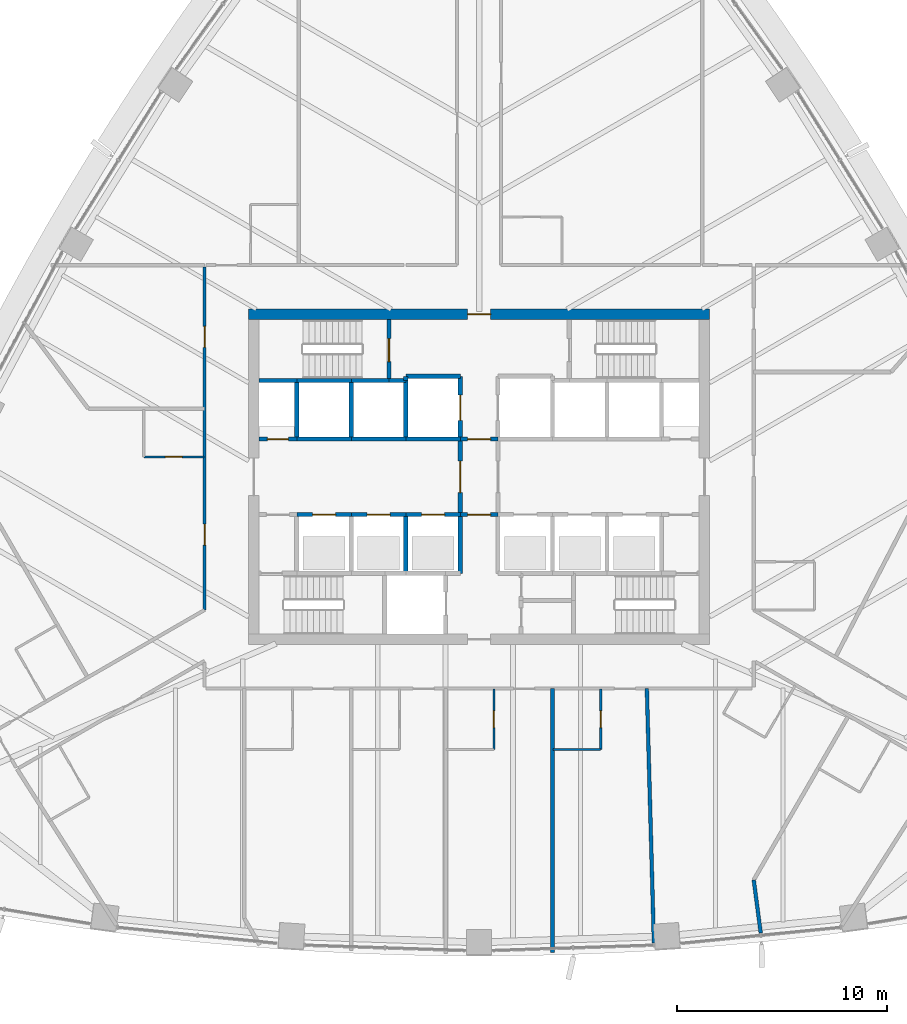
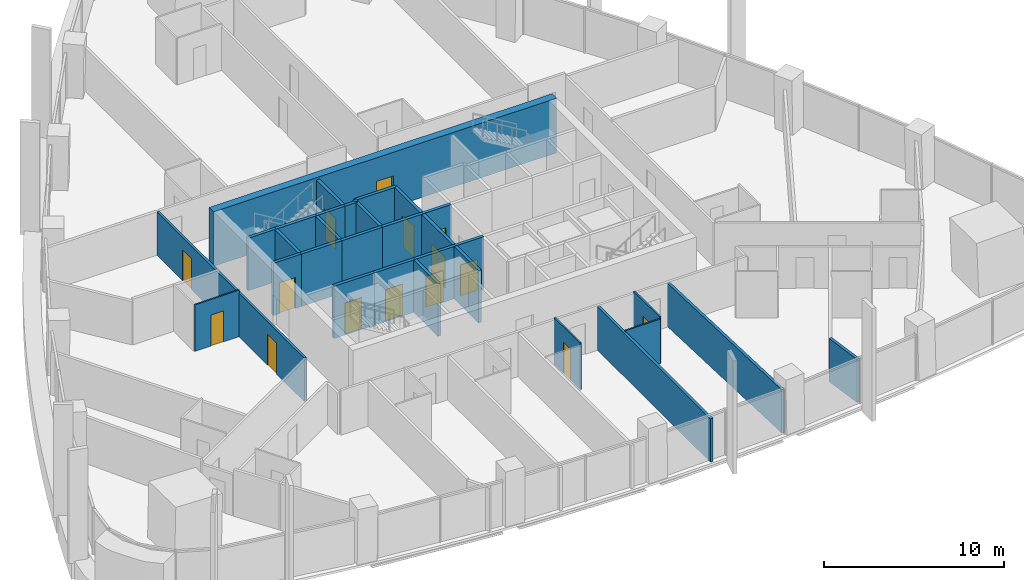
# One storey, part 11 of 22: 32 walls, 15 doors, 15 openings.
"""IFC4 building model written with IfcOpenShell, lengths in metres."""

from ifc_helpers import new_model, si_unit, direction, frame, frame_2d, origin, place, context, subcontext, project, spatial, rectangle, extrude, material, layer, layer_set, type_object, element, fill, save


model = new_model("IFC4")

# Units and contexts
model_context = context("Model", 3, precision=1e-05, world=origin(), true_north=direction((0.0, 1.0)))
body_context = subcontext(model_context, "Body", "Model", "MODEL_VIEW")
ifc_project = project(units=[si_unit("LENGTHUNIT", "METRE"), si_unit("AREAUNIT", "SQUARE_METRE"), si_unit("VOLUMEUNIT", "CUBIC_METRE"), si_unit("PLANEANGLEUNIT", "RADIAN"), si_unit("MASSUNIT", "GRAM", prefix="KILO")], contexts=[model_context])

# Site, building, storey
site_placement = place(None, origin())
site = spatial("IfcSite", under=ifc_project, at=site_placement, CompositionType="ELEMENT")
building_placement = place(site_placement, origin())
building = spatial("IfcBuilding", under=site, at=building_placement, Name="Sierra Prisma Convention Tower", CompositionType="ELEMENT")
storey_placement = place(building_placement, frame((0.0, 0.0, 96.10009765625)))
storey = spatial("IfcBuildingStorey", under=building, at=storey_placement, Name="L20", CompositionType="ELEMENT", Elevation=96.10009765625)

# Wall, opening, door
ifc_material_1 = material(Name="Gypsum board partition", Category="gypsum")
ifc_layer_1 = layer(ifc_material_1, 0.10009765625)
ifc_layer_set_1 = layer_set([ifc_layer_1], Name="Bathroom partition 100")
wall_type_1 = type_object("IfcWallType", Name="Bathroom partition 100", PredefinedType="PARTITIONING", material=ifc_layer_set_1)
wall_1_placement = place(storey_placement, frame((-13.1298828125, 0.94921875, 0.0), z_axis=(0.0, 0.0, 1.0), x_axis=(-1.0, 0.0, 0.0)))
wall_1 = element("IfcWall", 1, at=wall_1_placement, inside=storey, type_object=wall_type_1, Name="Partition L20 bath 5", PredefinedType="PARTITIONING", context=body_context, shape_type="SweptSolid", body=[
    extrude(rectangle(XDim=2.8701171875, YDim=0.10009765625, at=frame_2d((1.43505859375, 0.0))), origin(), (0.0, 0.0, 1.0), 3.14990234375),
])
opening_1_placement = place(wall_1_placement, frame((1.034912109375, 0.0, 0.0)))
opening_1 = element("IfcOpeningElement", 2, at=opening_1_placement, cuts=wall_1, Name="Opening L20-D004", PredefinedType="OPENING", context=body_context, shape_type="SweptSolid", body=[
    extrude(rectangle(XDim=0.800048828125, YDim=2.10009765625, at=frame_2d((0.39990234375, 1.050048828125))), frame((0.0, 0.050048828125, 0.0), z_axis=(0.0, -1.0, 0.0), x_axis=(1.0, 0.0, 0.0)), (0.0, 0.0, 1.0), 0.10009765625),
])
ifc_material_2 = material(Name="Solid core timber door leaf", Category="wood")
door_type_1 = type_object("IfcDoorType", Name="Door 800x2100 plain", OperationType="SINGLE_SWING_LEFT", PredefinedType="DOOR", material=ifc_material_2)
door_1_placement = place(opening_1_placement, origin())
door_1 = element("IfcDoor", 3, at=door_1_placement, inside=storey, type_object=door_type_1, Name="Door L20 11", OperationType="SINGLE_SWING_RIGHT", OverallHeight=2.10009765625, OverallWidth=0.800048828125, PredefinedType="DOOR", context=body_context, shape_type="SweptSolid", body=[
    extrude(rectangle(XDim=0.800048828125, YDim=2.10009765625, at=frame_2d((0.39990234375, 1.050048828125))), frame((0.0, 0.02490234375, 0.0), z_axis=(0.0, -1.0, 0.0), x_axis=(1.0, 0.0, 0.0)), (0.0, 0.0, 1.0), 0.050048828125),
])
fill(opening_1, door_1)

wall_2_placement = place(storey_placement, frame((0.699951171875, -10.1298828125, 0.0), z_axis=(0.0, 0.0, 1.0), x_axis=(0.0, -1.0, 0.0)))
wall_2 = element("IfcWall", 4, at=wall_2_placement, inside=storey, type_object=wall_type_1, Name="Partition L20 bath 13", PredefinedType="PARTITIONING", context=body_context, shape_type="SweptSolid", body=[
    extrude(rectangle(XDim=2.8701171875, YDim=0.10009765625, at=frame_2d((1.43505859375, 0.0))), origin(), (0.0, 0.0, 1.0), 3.14990234375),
])
opening_2_placement = place(wall_2_placement, frame((1.034912109375, 0.0, 0.0)))
opening_2 = element("IfcOpeningElement", 5, at=opening_2_placement, cuts=wall_2, Name="Opening L20-D009", PredefinedType="OPENING", context=body_context, shape_type="SweptSolid", body=[
    extrude(rectangle(XDim=0.800048828125, YDim=2.10009765625, at=frame_2d((0.39990234375, 1.050048828125))), frame((0.0, 0.050048828125, 0.0), z_axis=(0.0, -1.0, 0.0), x_axis=(1.0, 0.0, 0.0)), (0.0, 0.0, 1.0), 0.10009765625),
])
door_2_placement = place(opening_2_placement, origin())
door_2 = element("IfcDoor", 6, at=door_2_placement, inside=storey, type_object=door_type_1, Name="Door L20 22", OperationType="SINGLE_SWING_RIGHT", OverallHeight=2.10009765625, OverallWidth=0.800048828125, PredefinedType="DOOR", context=body_context, shape_type="SweptSolid", body=[
    extrude(rectangle(XDim=0.800048828125, YDim=2.10009765625, at=frame_2d((0.39990234375, 1.050048828125))), frame((0.0, 0.02490234375, 0.0), z_axis=(0.0, -1.0, 0.0), x_axis=(1.0, 0.0, 0.0)), (0.0, 0.0, 1.0), 0.050048828125),
])
fill(opening_2, door_2)

wall_3_placement = place(storey_placement, frame((5.800048828125, -10.1298828125, 0.0), z_axis=(0.0, 0.0, 1.0), x_axis=(0.0, -1.0, 0.0)))
wall_3 = element("IfcWall", 7, at=wall_3_placement, inside=storey, type_object=wall_type_1, Name="Partition L20 bath 20", PredefinedType="PARTITIONING", context=body_context, shape_type="SweptSolid", body=[
    extrude(rectangle(XDim=2.8701171875, YDim=0.10009765625, at=frame_2d((1.43505859375, 0.0))), origin(), (0.0, 0.0, 1.0), 3.14990234375),
])
opening_3_placement = place(wall_3_placement, frame((1.034912109375, 0.0, 0.0)))
opening_3 = element("IfcOpeningElement", 8, at=opening_3_placement, cuts=wall_3, Name="Opening L20-D010", PredefinedType="OPENING", context=body_context, shape_type="SweptSolid", body=[
    extrude(rectangle(XDim=0.800048828125, YDim=2.10009765625, at=frame_2d((0.39990234375, 1.050048828125))), frame((0.0, 0.050048828125, 0.0), z_axis=(0.0, -1.0, 0.0), x_axis=(1.0, 0.0, 0.0)), (0.0, 0.0, 1.0), 0.10009765625),
])
door_3_placement = place(opening_3_placement, origin())
door_3 = element("IfcDoor", 9, at=door_3_placement, inside=storey, type_object=door_type_1, Name="Door L20 24", OperationType="SINGLE_SWING_RIGHT", OverallHeight=2.10009765625, OverallWidth=0.800048828125, PredefinedType="DOOR", context=body_context, shape_type="SweptSolid", body=[
    extrude(rectangle(XDim=0.800048828125, YDim=2.10009765625, at=frame_2d((0.39990234375, 1.050048828125))), frame((0.0, 0.02490234375, 0.0), z_axis=(0.0, -1.0, 0.0), x_axis=(1.0, 0.0, 0.0)), (0.0, 0.0, 1.0), 0.050048828125),
])
fill(opening_3, door_3)

# Wall
wall_4_placement = place(storey_placement, frame((5.800048828125, -13.0, 0.0), z_axis=(0.0, 0.0, 1.0), x_axis=(-1.0, 0.0, 0.0)))
element("IfcWall", 10, at=wall_4_placement, inside=storey, type_object=wall_type_1, Name="Partition L20 bath 21", PredefinedType="PARTITIONING", context=body_context, shape_type="SweptSolid", body=[
    extrude(rectangle(XDim=2.27001953125, YDim=0.10009765625, at=frame_2d((1.135009765625, 0.0))), origin(), (0.0, 0.0, 1.0), 3.016845703125),
])

# Wall, opening, door
ifc_material_3 = material(Name="Concrete C30/37", Category="concrete")
ifc_layer_2 = layer(ifc_material_3, 0.199951171875)
ifc_layer_set_2 = layer_set([ifc_layer_2], Name="Core wall RC 200 C30/37")
wall_type_2 = type_object("IfcWallType", Name="Core wall RC 200 C30/37", PredefinedType="SOLIDWALL", material=ifc_layer_set_2)
wall_5_placement = place(storey_placement, frame((-8.699951171875, 1.800048828125, 0.0), z_axis=(0.0, 0.0, 1.0), x_axis=(-1.0, 0.0, 0.0)))
wall_5 = element("IfcWall", 11, at=wall_5_placement, inside=storey, type_object=wall_type_2, Name="Core wall L20 3", PredefinedType="SOLIDWALL", context=body_context, shape_type="SweptSolid", body=[
    extrude(rectangle(XDim=1.800048828125, YDim=0.199951171875, at=frame_2d((0.89990234375, 0.0))), origin(), (0.0, 0.0, 1.0), 3.5498046875),
])
opening_4_placement = place(wall_5_placement, frame((0.39990234375, 0.0, 0.0)))
opening_4 = element("IfcOpeningElement", 12, at=opening_4_placement, cuts=wall_5, Name="Opening L20-D030", PredefinedType="OPENING", context=body_context, shape_type="SweptSolid", body=[
    extrude(rectangle(XDim=1.0, YDim=2.10009765625, at=frame_2d((0.5, 1.050048828125))), frame((0.0, 0.10009765625, 0.0), z_axis=(0.0, -1.0, 0.0), x_axis=(1.0, 0.0, 0.0)), (0.0, 0.0, 1.0), 0.199951171875),
])
ifc_material_4 = material(Name="Steel fire door leaf", Category="steel")
door_type_2 = type_object("IfcDoorType", Name="Door 1000x2100 FD60S", OperationType="SINGLE_SWING_LEFT", PredefinedType="DOOR", material=ifc_material_4)
door_4_placement = place(opening_4_placement, origin())
door_4 = element("IfcDoor", 13, at=door_4_placement, inside=storey, type_object=door_type_2, Name="Door L20 49", OperationType="SINGLE_SWING_LEFT", OverallHeight=2.10009765625, OverallWidth=1.0, PredefinedType="DOOR", context=body_context, shape_type="SweptSolid", body=[
    extrude(rectangle(XDim=1.0, YDim=2.10009765625, at=frame_2d((0.5, 1.050048828125))), frame((0.0, 0.02490234375, 0.0), z_axis=(0.0, -1.0, 0.0), x_axis=(1.0, 0.0, 0.0)), (0.0, 0.0, 1.0), 0.050048828125),
])
fill(opening_4, door_4)

# Wall
wall_6_placement = place(storey_placement, frame((-8.699951171875, 4.60009765625, 0.0), z_axis=(0.0, 0.0, 1.0), x_axis=(-1.0, 0.0, 0.0)))
element("IfcWall", 14, at=wall_6_placement, inside=storey, type_object=wall_type_2, Name="Core wall L20 4", PredefinedType="SOLIDWALL", context=body_context, shape_type="SweptSolid", body=[
    extrude(rectangle(XDim=1.800048828125, YDim=0.199951171875, at=frame_2d((0.89990234375, 0.0))), origin(), (0.0, 0.0, 1.0), 3.5498046875),
])

# Wall, opening, door
wall_7_placement = place(storey_placement, frame((-8.699951171875, -1.800048828125, 0.0), z_axis=(0.0, 0.0, 1.0), x_axis=(1.0, 0.0, 0.0)))
wall_7 = element("IfcWall", 15, at=wall_7_placement, inside=storey, type_object=wall_type_2, Name="Core wall L20 7", PredefinedType="SOLIDWALL", context=body_context, shape_type="SweptSolid", body=[
    extrude(rectangle(XDim=2.599853515625, YDim=0.199951171875, at=frame_2d((1.2998046875, 0.0))), origin(), (0.0, 0.0, 1.0), 3.5498046875),
])
opening_5_placement = place(wall_7_placement, frame((0.75, 0.0, 0.0)))
opening_5 = element("IfcOpeningElement", 16, at=opening_5_placement, cuts=wall_7, Name="Opening L20-D015", PredefinedType="OPENING", context=body_context, shape_type="SweptSolid", body=[
    extrude(rectangle(XDim=1.10009765625, YDim=2.10009765625, at=frame_2d((0.550048828125, 1.050048828125))), frame((0.0, 0.10009765625, 0.0), z_axis=(0.0, -1.0, 0.0), x_axis=(1.0, 0.0, 0.0)), (0.0, 0.0, 1.0), 0.199951171875),
])
ifc_material_5 = material(Name="Steel fire door leaf", Category="steel")
door_type_3 = type_object("IfcDoorType", Name="Door 1100x2100 EI 90 sliding lift landing", OperationType="SLIDING_TO_LEFT", PredefinedType="DOOR", material=ifc_material_5)
door_5_placement = place(opening_5_placement, origin())
door_5 = element("IfcDoor", 17, at=door_5_placement, inside=storey, type_object=door_type_3, Name="Door L20 34", OperationType="SLIDING_TO_RIGHT", OverallHeight=2.10009765625, OverallWidth=1.10009765625, PredefinedType="DOOR", context=body_context, shape_type="SweptSolid", body=[
    extrude(rectangle(XDim=1.10009765625, YDim=2.10009765625, at=frame_2d((0.550048828125, 1.050048828125))), frame((0.0, 0.02490234375, 0.0), z_axis=(0.0, -1.0, 0.0), x_axis=(1.0, 0.0, 0.0)), (0.0, 0.0, 1.0), 0.050048828125),
])
fill(opening_5, door_5)

# Walls
wall_8_placement = place(storey_placement, frame((-6.10009765625, 1.800048828125, 0.0), z_axis=(0.0, 0.0, 1.0), x_axis=(-1.0, 0.0, 0.0)))
element("IfcWall", 18, at=wall_8_placement, inside=storey, type_object=wall_type_2, Name="Core wall L20 8", PredefinedType="SOLIDWALL", context=body_context, shape_type="SweptSolid", body=[
    extrude(rectangle(XDim=2.599853515625, YDim=0.199951171875, at=frame_2d((1.2998046875, 0.0))), origin(), (0.0, 0.0, 1.0), 3.5498046875),
])
wall_9_placement = place(storey_placement, frame((-8.699951171875, 1.800048828125, 0.0), z_axis=(0.0, 0.0, 1.0), x_axis=(0.0, 1.0, 0.0)))
element("IfcWall", 19, at=wall_9_placement, inside=storey, type_object=wall_type_2, Name="Core wall L20 9", PredefinedType="SOLIDWALL", context=body_context, shape_type="SweptSolid", body=[
    extrude(rectangle(XDim=2.800048828125, YDim=0.199951171875, at=frame_2d((1.39990234375, 0.0))), origin(), (0.0, 0.0, 1.0), 3.5498046875),
])
wall_10_placement = place(storey_placement, frame((-6.10009765625, 4.60009765625, 0.0), z_axis=(0.0, 0.0, 1.0), x_axis=(-1.0, 0.0, 0.0)))
element("IfcWall", 20, at=wall_10_placement, inside=storey, type_object=wall_type_2, Name="Core wall L20 10", PredefinedType="SOLIDWALL", context=body_context, shape_type="SweptSolid", body=[
    extrude(rectangle(XDim=2.599853515625, YDim=0.199951171875, at=frame_2d((1.2998046875, 0.0))), origin(), (0.0, 0.0, 1.0), 3.5498046875),
])

# Wall, opening, door
wall_11_placement = place(storey_placement, frame((-6.10009765625, -1.800048828125, 0.0), z_axis=(0.0, 0.0, 1.0), x_axis=(1.0, 0.0, 0.0)))
wall_11 = element("IfcWall", 21, at=wall_11_placement, inside=storey, type_object=wall_type_2, Name="Core wall L20 13", PredefinedType="SOLIDWALL", context=body_context, shape_type="SweptSolid", body=[
    extrude(rectangle(XDim=2.60009765625, YDim=0.199951171875, at=frame_2d((1.300048828125, 0.0))), origin(), (0.0, 0.0, 1.0), 3.5498046875),
])
opening_6_placement = place(wall_11_placement, frame((0.75, 0.0, 0.0)))
opening_6 = element("IfcOpeningElement", 22, at=opening_6_placement, cuts=wall_11, Name="Opening L20-D016", PredefinedType="OPENING", context=body_context, shape_type="SweptSolid", body=[
    extrude(rectangle(XDim=1.10009765625, YDim=2.10009765625, at=frame_2d((0.550048828125, 1.050048828125))), frame((0.0, 0.10009765625, 0.0), z_axis=(0.0, -1.0, 0.0), x_axis=(1.0, 0.0, 0.0)), (0.0, 0.0, 1.0), 0.199951171875),
])
door_6_placement = place(opening_6_placement, origin())
door_6 = element("IfcDoor", 23, at=door_6_placement, inside=storey, type_object=door_type_3, Name="Door L20 35", OperationType="SLIDING_TO_LEFT", OverallHeight=2.10009765625, OverallWidth=1.10009765625, PredefinedType="DOOR", context=body_context, shape_type="SweptSolid", body=[
    extrude(rectangle(XDim=1.10009765625, YDim=2.10009765625, at=frame_2d((0.550048828125, 1.050048828125))), frame((0.0, 0.02490234375, 0.0), z_axis=(0.0, -1.0, 0.0), x_axis=(1.0, 0.0, 0.0)), (0.0, 0.0, 1.0), 0.050048828125),
])
fill(opening_6, door_6)

# Walls
wall_12_placement = place(storey_placement, frame((-3.5, 1.800048828125, 0.0), z_axis=(0.0, 0.0, 1.0), x_axis=(-1.0, 0.0, 0.0)))
element("IfcWall", 24, at=wall_12_placement, inside=storey, type_object=wall_type_2, Name="Core wall L20 14", PredefinedType="SOLIDWALL", context=body_context, shape_type="SweptSolid", body=[
    extrude(rectangle(XDim=2.60009765625, YDim=0.199951171875, at=frame_2d((1.300048828125, 0.0))), origin(), (0.0, 0.0, 1.0), 3.5498046875),
])
wall_13_placement = place(storey_placement, frame((-6.10009765625, 1.800048828125, 0.0), z_axis=(0.0, 0.0, 1.0), x_axis=(0.0, 1.0, 0.0)))
element("IfcWall", 25, at=wall_13_placement, inside=storey, type_object=wall_type_2, Name="Core wall L20 15", PredefinedType="SOLIDWALL", context=body_context, shape_type="SweptSolid", body=[
    extrude(rectangle(XDim=2.800048828125, YDim=0.199951171875, at=frame_2d((1.39990234375, 0.0))), origin(), (0.0, 0.0, 1.0), 3.5498046875),
])
wall_14_placement = place(storey_placement, frame((-4.300048828125, 4.60009765625, 0.0), z_axis=(0.0, 0.0, 1.0), x_axis=(-1.0, 0.0, 0.0)))
element("IfcWall", 26, at=wall_14_placement, inside=storey, type_object=wall_type_2, Name="Core wall L20 16", PredefinedType="SOLIDWALL", context=body_context, shape_type="SweptSolid", body=[
    extrude(rectangle(XDim=1.800048828125, YDim=0.199951171875, at=frame_2d((0.89990234375, 0.0))), origin(), (0.0, 0.0, 1.0), 3.5498046875),
])
wall_15_placement = place(storey_placement, frame((-3.5, 4.60009765625, 0.0), z_axis=(0.0, 0.0, 1.0), x_axis=(-1.0, 0.0, 0.0)))
element("IfcWall", 27, at=wall_15_placement, inside=storey, type_object=wall_type_2, Name="Core wall L20 19", PredefinedType="SOLIDWALL", context=body_context, shape_type="SweptSolid", body=[
    extrude(rectangle(XDim=0.800048828125, YDim=0.199951171875, at=frame_2d((0.39990234375, 0.0))), origin(), (0.0, 0.0, 1.0), 3.5498046875),
])

# Wall, opening, door
wall_16_placement = place(storey_placement, frame((-4.300048828125, 4.60009765625, 0.0), z_axis=(0.0, 0.0, 1.0), x_axis=(0.0, 1.0, 0.0)))
wall_16 = element("IfcWall", 28, at=wall_16_placement, inside=storey, type_object=wall_type_2, Name="Core wall L20 20", PredefinedType="SOLIDWALL", context=body_context, shape_type="SweptSolid", body=[
    extrude(rectangle(XDim=2.89990234375, YDim=0.199951171875, at=frame_2d((1.449951171875, 0.0))), origin(), (0.0, 0.0, 1.0), 3.5498046875),
])
opening_7_placement = place(wall_16_placement, frame((0.89990234375, 0.0, 0.0)))
opening_7 = element("IfcOpeningElement", 29, at=opening_7_placement, cuts=wall_16, Name="Opening L20-D034", PredefinedType="OPENING", context=body_context, shape_type="SweptSolid", body=[
    extrude(rectangle(XDim=1.10009765625, YDim=2.10009765625, at=frame_2d((0.550048828125, 1.050048828125))), frame((0.0, 0.10009765625, 0.0), z_axis=(0.0, -1.0, 0.0), x_axis=(1.0, 0.0, 0.0)), (0.0, 0.0, 1.0), 0.199951171875),
])
ifc_material_6 = material(Name="Steel fire door leaf", Category="steel")
door_type_4 = type_object("IfcDoorType", Name="Door 1100x2100 FD90S", OperationType="SINGLE_SWING_LEFT", PredefinedType="DOOR", material=ifc_material_6)
door_7_placement = place(opening_7_placement, origin())
door_7 = element("IfcDoor", 30, at=door_7_placement, inside=storey, type_object=door_type_4, Name="Door L20 53", OperationType="SINGLE_SWING_RIGHT", OverallHeight=2.10009765625, OverallWidth=1.10009765625, PredefinedType="DOOR", context=body_context, shape_type="SweptSolid", body=[
    extrude(rectangle(XDim=1.10009765625, YDim=2.10009765625, at=frame_2d((0.550048828125, 1.050048828125))), frame((0.0, 0.02490234375, 0.0), z_axis=(0.0, -1.0, 0.0), x_axis=(1.0, 0.0, 0.0)), (0.0, 0.0, 1.0), 0.050048828125),
])
fill(opening_7, door_7)

# Wall
wall_17_placement = place(storey_placement, frame((-3.5, -4.60009765625, 0.0), z_axis=(0.0, 0.0, 1.0), x_axis=(0.0, 1.0, 0.0)))
element("IfcWall", 31, at=wall_17_placement, inside=storey, type_object=wall_type_2, Name="Core wall L20 22", PredefinedType="SOLIDWALL", context=body_context, shape_type="SweptSolid", body=[
    extrude(rectangle(XDim=2.800048828125, YDim=0.199951171875, at=frame_2d((1.39990234375, 0.0))), origin(), (0.0, 0.0, 1.0), 3.5498046875),
])

# Wall, opening, door
wall_18_placement = place(storey_placement, frame((-3.5, -1.800048828125, 0.0), z_axis=(0.0, 0.0, 1.0), x_axis=(1.0, 0.0, 0.0)))
wall_18 = element("IfcWall", 32, at=wall_18_placement, inside=storey, type_object=wall_type_2, Name="Core wall L20 23", PredefinedType="SOLIDWALL", context=body_context, shape_type="SweptSolid", body=[
    extrude(rectangle(XDim=2.60009765625, YDim=0.199951171875, at=frame_2d((1.300048828125, 0.0))), origin(), (0.0, 0.0, 1.0), 3.5498046875),
])
opening_8_placement = place(wall_18_placement, frame((0.75, 0.0, 0.0)))
opening_8 = element("IfcOpeningElement", 33, at=opening_8_placement, cuts=wall_18, Name="Opening L20-D017", PredefinedType="OPENING", context=body_context, shape_type="SweptSolid", body=[
    extrude(rectangle(XDim=1.10009765625, YDim=2.10009765625, at=frame_2d((0.550048828125, 1.050048828125))), frame((0.0, 0.10009765625, 0.0), z_axis=(0.0, -1.0, 0.0), x_axis=(1.0, 0.0, 0.0)), (0.0, 0.0, 1.0), 0.199951171875),
])
door_8_placement = place(opening_8_placement, origin())
door_8 = element("IfcDoor", 34, at=door_8_placement, inside=storey, type_object=door_type_3, Name="Door L20 36", OperationType="SLIDING_TO_RIGHT", OverallHeight=2.10009765625, OverallWidth=1.10009765625, PredefinedType="DOOR", context=body_context, shape_type="SweptSolid", body=[
    extrude(rectangle(XDim=1.10009765625, YDim=2.10009765625, at=frame_2d((0.550048828125, 1.050048828125))), frame((0.0, 0.02490234375, 0.0), z_axis=(0.0, -1.0, 0.0), x_axis=(1.0, 0.0, 0.0)), (0.0, 0.0, 1.0), 0.050048828125),
])
fill(opening_8, door_8)

# Walls
wall_19_placement = place(storey_placement, frame((-0.89990234375, 1.800048828125, 0.0), z_axis=(0.0, 0.0, 1.0), x_axis=(-1.0, 0.0, 0.0)))
element("IfcWall", 35, at=wall_19_placement, inside=storey, type_object=wall_type_2, Name="Core wall L20 24", PredefinedType="SOLIDWALL", context=body_context, shape_type="SweptSolid", body=[
    extrude(rectangle(XDim=2.60009765625, YDim=0.199951171875, at=frame_2d((1.300048828125, 0.0))), origin(), (0.0, 0.0, 1.0), 3.5498046875),
])
wall_20_placement = place(storey_placement, frame((-3.5, 4.60009765625, 0.0), z_axis=(0.0, 0.0, 1.0), x_axis=(0.0, -1.0, 0.0)))
element("IfcWall", 36, at=wall_20_placement, inside=storey, type_object=wall_type_2, Name="Core wall L20 25", PredefinedType="SOLIDWALL", context=body_context, shape_type="SweptSolid", body=[
    extrude(rectangle(XDim=2.800048828125, YDim=0.199951171875, at=frame_2d((1.39990234375, 0.0))), origin(), (0.0, 0.0, 1.0), 3.5498046875),
])

# Wall, opening, door
wall_21_placement = place(storey_placement, frame((-0.89990234375, 1.800048828125, 0.0), z_axis=(0.0, 0.0, 1.0), x_axis=(0.0, 1.0, 0.0)))
wall_21 = element("IfcWall", 37, at=wall_21_placement, inside=storey, type_object=wall_type_2, Name="Core wall L20 26", PredefinedType="SOLIDWALL", context=body_context, shape_type="SweptSolid", body=[
    extrude(rectangle(XDim=3.0, YDim=0.199951171875, at=frame_2d((1.5, 0.0))), origin(), (0.0, 0.0, 1.0), 3.5498046875),
])
opening_9_placement = place(wall_21_placement, frame((0.89990234375, 0.0, 0.0)))
opening_9 = element("IfcOpeningElement", 38, at=opening_9_placement, cuts=wall_21, Name="Opening L20-D021", PredefinedType="OPENING", context=body_context, shape_type="SweptSolid", body=[
    extrude(rectangle(XDim=1.199951171875, YDim=2.10009765625, at=frame_2d((0.60009765625, 1.050048828125))), frame((0.0, 0.10009765625, 0.0), z_axis=(0.0, -1.0, 0.0), x_axis=(1.0, 0.0, 0.0)), (0.0, 0.0, 1.0), 0.199951171875),
])
ifc_material_7 = material(Name="Steel fire door leaf", Category="steel")
door_type_5 = type_object("IfcDoorType", Name="Door 1200x2100 EI 90 sliding lift landing", OperationType="SLIDING_TO_LEFT", PredefinedType="DOOR", material=ifc_material_7)
door_9_placement = place(opening_9_placement, origin())
door_9 = element("IfcDoor", 39, at=door_9_placement, inside=storey, type_object=door_type_5, Name="Door L20 40", OperationType="SLIDING_TO_RIGHT", OverallHeight=2.10009765625, OverallWidth=1.199951171875, PredefinedType="DOOR", context=body_context, shape_type="SweptSolid", body=[
    extrude(rectangle(XDim=1.199951171875, YDim=2.10009765625, at=frame_2d((0.60009765625, 1.050048828125))), frame((0.0, 0.02490234375, 0.0), z_axis=(0.0, -1.0, 0.0), x_axis=(1.0, 0.0, 0.0)), (0.0, 0.0, 1.0), 0.050048828125),
])
fill(opening_9, door_9)

# Walls
wall_22_placement = place(storey_placement, frame((-0.89990234375, 4.800048828125, 0.0), z_axis=(0.0, 0.0, 1.0), x_axis=(-1.0, 0.0, 0.0)))
element("IfcWall", 40, at=wall_22_placement, inside=storey, type_object=wall_type_2, Name="Core wall L20 27", PredefinedType="SOLIDWALL", context=body_context, shape_type="SweptSolid", body=[
    extrude(rectangle(XDim=2.60009765625, YDim=0.199951171875, at=frame_2d((1.300048828125, 0.0))), origin(), (0.0, 0.0, 1.0), 3.5498046875),
])
wall_23_placement = place(storey_placement, frame((-3.5, 4.800048828125, 0.0), z_axis=(0.0, 0.0, 1.0), x_axis=(0.0, -1.0, 0.0)))
element("IfcWall", 41, at=wall_23_placement, inside=storey, type_object=wall_type_2, Name="Core wall L20 28", PredefinedType="SOLIDWALL", context=body_context, shape_type="SweptSolid", body=[
    extrude(rectangle(XDim=0.199951171875, YDim=0.199951171875, at=frame_2d((0.10009765625, 0.0))), origin(), (0.0, 0.0, 1.0), 3.5498046875),
])
wall_24_placement = place(storey_placement, frame((-0.89990234375, -4.60009765625, 0.0), z_axis=(0.0, 0.0, 1.0), x_axis=(0.0, 1.0, 0.0)))
element("IfcWall", 42, at=wall_24_placement, inside=storey, type_object=wall_type_2, Name="Core wall L20 31", PredefinedType="SOLIDWALL", context=body_context, shape_type="SweptSolid", body=[
    extrude(rectangle(XDim=2.800048828125, YDim=0.199951171875, at=frame_2d((1.39990234375, 0.0))), origin(), (0.0, 0.0, 1.0), 3.5498046875),
])

# Wall, opening, door
wall_25_placement = place(storey_placement, frame((-0.89990234375, -1.800048828125, 0.0), z_axis=(0.0, 0.0, 1.0), x_axis=(1.0, 0.0, 0.0)))
wall_25 = element("IfcWall", 43, at=wall_25_placement, inside=storey, type_object=wall_type_2, Name="Core wall L20 32", PredefinedType="SOLIDWALL", context=body_context, shape_type="SweptSolid", body=[
    extrude(rectangle(XDim=1.7998046875, YDim=0.199951171875, at=frame_2d((0.89990234375, 0.0))), origin(), (0.0, 0.0, 1.0), 3.5498046875),
])
opening_10_placement = place(wall_25_placement, frame((0.35009765625, 0.0, 0.0)))
opening_10 = element("IfcOpeningElement", 44, at=opening_10_placement, cuts=wall_25, Name="Opening L20-D029", PredefinedType="OPENING", context=body_context, shape_type="SweptSolid", body=[
    extrude(rectangle(XDim=1.10009765625, YDim=2.10009765625, at=frame_2d((0.550048828125, 1.050048828125))), frame((0.0, 0.10009765625, 0.0), z_axis=(0.0, -1.0, 0.0), x_axis=(1.0, 0.0, 0.0)), (0.0, 0.0, 1.0), 0.199951171875),
])
ifc_material_8 = material(Name="Steel fire door leaf", Category="steel")
door_type_6 = type_object("IfcDoorType", Name="Door 1100x2100 FD30S", OperationType="SINGLE_SWING_LEFT", PredefinedType="DOOR", material=ifc_material_8)
door_10_placement = place(opening_10_placement, origin())
door_10 = element("IfcDoor", 45, at=door_10_placement, inside=storey, type_object=door_type_6, Name="Door L20 48", OperationType="SINGLE_SWING_RIGHT", OverallHeight=2.10009765625, OverallWidth=1.10009765625, PredefinedType="DOOR", context=body_context, shape_type="SweptSolid", body=[
    extrude(rectangle(XDim=1.10009765625, YDim=2.10009765625, at=frame_2d((0.550048828125, 1.050048828125))), frame((0.0, 0.02490234375, 0.0), z_axis=(0.0, -1.0, 0.0), x_axis=(1.0, 0.0, 0.0)), (0.0, 0.0, 1.0), 0.050048828125),
])
fill(opening_10, door_10)

wall_26_placement = place(storey_placement, frame((-0.89990234375, 1.800048828125, 0.0), z_axis=(0.0, 0.0, 1.0), x_axis=(0.0, -1.0, 0.0)))
wall_26 = element("IfcWall", 46, at=wall_26_placement, inside=storey, type_object=wall_type_2, Name="Core wall L20 33", PredefinedType="SOLIDWALL", context=body_context, shape_type="SweptSolid", body=[
    extrude(rectangle(XDim=3.60009765625, YDim=0.199951171875, at=frame_2d((1.800048828125, 0.0))), origin(), (0.0, 0.0, 1.0), 3.5498046875),
])
opening_11_placement = place(wall_26_placement, frame((1.050048828125, 0.0, 0.0)))
opening_11 = element("IfcOpeningElement", 47, at=opening_11_placement, cuts=wall_26, Name="Opening L20-D024", PredefinedType="OPENING", context=body_context, shape_type="SweptSolid", body=[
    extrude(rectangle(XDim=1.5, YDim=2.10009765625, at=frame_2d((0.75, 1.050048828125))), frame((0.0, 0.10009765625, 0.0), z_axis=(0.0, -1.0, 0.0), x_axis=(1.0, 0.0, 0.0)), (0.0, 0.0, 1.0), 0.199951171875),
])
ifc_material_9 = material(Name="Steel fire door leaf", Category="steel")
door_type_7 = type_object("IfcDoorType", Name="Door 1500x2100 FD30S", OperationType="DOUBLE_DOOR_SINGLE_SWING", PredefinedType="DOOR", material=ifc_material_9)
door_11_placement = place(opening_11_placement, origin())
door_11 = element("IfcDoor", 48, at=door_11_placement, inside=storey, type_object=door_type_7, Name="Door L20 43", OperationType="DOUBLE_DOOR_SINGLE_SWING", OverallHeight=2.10009765625, OverallWidth=1.5, PredefinedType="DOOR", context=body_context, shape_type="SweptSolid", body=[
    extrude(rectangle(XDim=1.5, YDim=2.10009765625, at=frame_2d((0.75, 1.050048828125))), frame((0.0, 0.02490234375, 0.0), z_axis=(0.0, -1.0, 0.0), x_axis=(1.0, 0.0, 0.0)), (0.0, 0.0, 1.0), 0.050048828125),
])
fill(opening_11, door_11)

wall_27_placement = place(storey_placement, frame((0.89990234375, 1.800048828125, 0.0), z_axis=(0.0, 0.0, 1.0), x_axis=(-1.0, 0.0, 0.0)))
wall_27 = element("IfcWall", 49, at=wall_27_placement, inside=storey, type_object=wall_type_2, Name="Core wall L20 34", PredefinedType="SOLIDWALL", context=body_context, shape_type="SweptSolid", body=[
    extrude(rectangle(XDim=1.7998046875, YDim=0.199951171875, at=frame_2d((0.89990234375, 0.0))), origin(), (0.0, 0.0, 1.0), 3.5498046875),
])
opening_12_placement = place(wall_27_placement, frame((0.35009765625, 0.0, 0.0)))
opening_12 = element("IfcOpeningElement", 50, at=opening_12_placement, cuts=wall_27, Name="Opening L20-D028", PredefinedType="OPENING", context=body_context, shape_type="SweptSolid", body=[
    extrude(rectangle(XDim=1.10009765625, YDim=2.10009765625, at=frame_2d((0.550048828125, 1.050048828125))), frame((0.0, 0.10009765625, 0.0), z_axis=(0.0, -1.0, 0.0), x_axis=(1.0, 0.0, 0.0)), (0.0, 0.0, 1.0), 0.199951171875),
])
ifc_material_10 = material(Name="Steel fire door leaf", Category="steel")
door_type_8 = type_object("IfcDoorType", Name="Door 1100x2100 FD60S", OperationType="SINGLE_SWING_LEFT", PredefinedType="DOOR", material=ifc_material_10)
door_12_placement = place(opening_12_placement, origin())
door_12 = element("IfcDoor", 51, at=door_12_placement, inside=storey, type_object=door_type_8, Name="Door L20 47", OperationType="SINGLE_SWING_LEFT", OverallHeight=2.10009765625, OverallWidth=1.10009765625, PredefinedType="DOOR", context=body_context, shape_type="SweptSolid", body=[
    extrude(rectangle(XDim=1.10009765625, YDim=2.10009765625, at=frame_2d((0.550048828125, 1.050048828125))), frame((0.0, 0.02490234375, 0.0), z_axis=(0.0, -1.0, 0.0), x_axis=(1.0, 0.0, 0.0)), (0.0, 0.0, 1.0), 0.050048828125),
])
fill(opening_12, door_12)

ifc_material_11 = material(Name="Concrete C60/75", Category="concrete")
ifc_layer_3 = layer(ifc_material_11, 0.5)
ifc_layer_set_3 = layer_set([ifc_layer_3], Name="Core wall RC 500 C60/75")
wall_type_3 = type_object("IfcWallType", Name="Core wall RC 500 C60/75", PredefinedType="SHEAR", material=ifc_layer_set_3)
wall_28_placement = place(storey_placement, frame((-11.0, 7.75, 0.0), z_axis=(0.0, 0.0, 1.0), x_axis=(1.0, 0.0, 0.0)))
wall_28 = element("IfcWall", 52, at=wall_28_placement, inside=storey, type_object=wall_type_3, Name="Core wall N L20", PredefinedType="SHEAR", context=body_context, shape_type="SweptSolid", body=[
    extrude(rectangle(XDim=22.0, YDim=0.5, at=frame_2d((11.0, 0.0))), origin(), (0.0, 0.0, 1.0), 3.699951171875),
])
opening_13_placement = place(wall_28_placement, frame((10.449951171875, 0.0, 0.0)))
opening_13 = element("IfcOpeningElement", 53, at=opening_13_placement, cuts=wall_28, Name="Opening L20-D058", PredefinedType="OPENING", context=body_context, shape_type="SweptSolid", body=[
    extrude(rectangle(XDim=1.10009765625, YDim=2.10009765625, at=frame_2d((0.550048828125, 1.050048828125))), frame((0.0, 0.25, 0.0), z_axis=(0.0, -1.0, 0.0), x_axis=(1.0, 0.0, 0.0)), (0.0, 0.0, 1.0), 0.5),
])
door_13_placement = place(opening_13_placement, origin())
door_13 = element("IfcDoor", 54, at=door_13_placement, inside=storey, type_object=door_type_8, Name="Door L20 59", OperationType="SINGLE_SWING_LEFT", OverallHeight=2.10009765625, OverallWidth=1.10009765625, PredefinedType="DOOR", context=body_context, shape_type="SweptSolid", body=[
    extrude(rectangle(XDim=1.10009765625, YDim=2.10009765625, at=frame_2d((0.550048828125, 1.050048828125))), frame((0.0, 0.02490234375, 0.0), z_axis=(0.0, -1.0, 0.0), x_axis=(1.0, 0.0, 0.0)), (0.0, 0.0, 1.0), 0.050048828125),
])
fill(opening_13, door_13)

# Wall, openings, doors
ifc_material_12 = material(Name="Gypsum board partition", Category="gypsum")
ifc_layer_4 = layer(ifc_material_12, 0.14990234375)
ifc_layer_set_4 = layer_set([ifc_layer_4], Name="Corridor wall 150 gypsum EI 60")
wall_type_4 = type_object("IfcWallType", Name="Corridor wall 150 gypsum EI 60", PredefinedType="PARTITIONING", material=ifc_layer_set_4)
wall_29_placement = place(storey_placement, frame((-13.10009765625, 10.02001953125, 0.0), z_axis=(0.0, 0.0, 1.0), x_axis=(0.0, -1.0, 0.0)))
wall_29 = element("IfcWall", 55, at=wall_29_placement, inside=storey, type_object=wall_type_4, Name="Partition L20 corr 2", PredefinedType="PARTITIONING", context=body_context, shape_type="SweptSolid", body=[
    extrude(rectangle(XDim=16.370849609375, YDim=0.14990234375, at=frame_2d((8.185546875, 0.0))), origin(), (0.0, 0.0, 1.0), 2.947021484375),
])
opening_14_placement = place(wall_29_placement, frame((2.845458984375, 0.0, 0.0)))
opening_14 = element("IfcOpeningElement", 56, at=opening_14_placement, cuts=wall_29, Name="Opening L20-D043", PredefinedType="OPENING", context=body_context, shape_type="SweptSolid", body=[
    extrude(rectangle(XDim=1.0, YDim=2.10009765625, at=frame_2d((0.5, 1.050048828125))), frame((0.0, 0.074951171875, 0.0), z_axis=(0.0, -1.0, 0.0), x_axis=(1.0, 0.0, 0.0)), (0.0, 0.0, 1.0), 0.14990234375),
])
opening_15_placement = place(wall_29_placement, frame((12.27099609375, 0.0, 0.0)))
opening_15 = element("IfcOpeningElement", 57, at=opening_15_placement, cuts=wall_29, Name="Opening L20-D044", PredefinedType="OPENING", context=body_context, shape_type="SweptSolid", body=[
    extrude(rectangle(XDim=1.0, YDim=2.10009765625, at=frame_2d((0.5, 1.050048828125))), frame((0.0, 0.074951171875, 0.0), z_axis=(0.0, -1.0, 0.0), x_axis=(1.0, 0.0, 0.0)), (0.0, 0.0, 1.0), 0.14990234375),
])
ifc_material_13 = material(Name="Steel fire door leaf", Category="steel")
door_type_9 = type_object("IfcDoorType", Name="Door 1000x2100 FD30S", OperationType="SINGLE_SWING_LEFT", PredefinedType="DOOR", material=ifc_material_13)
door_14_placement = place(opening_14_placement, origin())
door_14 = element("IfcDoor", 58, at=door_14_placement, inside=storey, type_object=door_type_9, Name="Door L20 9", OperationType="SINGLE_SWING_LEFT", OverallHeight=2.10009765625, OverallWidth=1.0, PredefinedType="DOOR", context=body_context, shape_type="SweptSolid", body=[
    extrude(rectangle(XDim=1.0, YDim=2.10009765625, at=frame_2d((0.5, 1.050048828125))), frame((0.0, 0.02490234375, 0.0), z_axis=(0.0, -1.0, 0.0), x_axis=(1.0, 0.0, 0.0)), (0.0, 0.0, 1.0), 0.050048828125),
])
fill(opening_14, door_14)
door_15_placement = place(opening_15_placement, origin())
door_15 = element("IfcDoor", 59, at=door_15_placement, inside=storey, type_object=door_type_9, Name="Door L20 10", OperationType="SINGLE_SWING_RIGHT", OverallHeight=2.10009765625, OverallWidth=1.0, PredefinedType="DOOR", context=body_context, shape_type="SweptSolid", body=[
    extrude(rectangle(XDim=1.0, YDim=2.10009765625, at=frame_2d((0.5, 1.050048828125))), frame((0.0, 0.02490234375, 0.0), z_axis=(0.0, -1.0, 0.0), x_axis=(1.0, 0.0, 0.0)), (0.0, 0.0, 1.0), 0.050048828125),
])
fill(opening_15, door_15)

# Walls
ifc_material_14 = material(Name="Acoustic gypsum board partition", Category="gypsum")
ifc_layer_5 = layer(ifc_material_14, 0.175048828125)
ifc_layer_set_5 = layer_set([ifc_layer_5], Name="Guest room party wall 175 acoustic EI 60")
wall_type_5 = type_object("IfcWallType", Name="Guest room party wall 175 acoustic EI 60", PredefinedType="PARTITIONING", material=ifc_layer_set_5)
wall_30_placement = place(storey_placement, frame((3.5, -10.10009765625, 0.0), z_axis=(0.0, 0.0, 1.0), x_axis=(0.0, -1.0, 0.0)))
element("IfcWall", 60, at=wall_30_placement, inside=storey, type_object=wall_type_5, Name="Partition L20 hparty 14", PredefinedType="PARTITIONING", context=body_context, shape_type="SweptSolid", body=[
    extrude(rectangle(XDim=12.592529296875, YDim=0.175048828125, at=frame_2d((6.29638671875, 0.0))), origin(), (0.0, 0.0, 1.0), 2.933837890625),
])
wall_31_placement = place(storey_placement, frame((8.0, -10.10009765625, 0.0), z_axis=(0.0, 0.0, 1.0), x_axis=(0.027718493396, -0.999615768745, 0.0)))
element("IfcWall", 61, at=wall_31_placement, inside=storey, type_object=wall_type_5, Name="Partition L20 hparty 15", PredefinedType="PARTITIONING", context=body_context, shape_type="SweptSolid", body=[
    extrude(rectangle(XDim=12.13720703125, YDim=0.175048828125, at=frame_2d((6.068603515625, 0.0))), origin(), (0.0, 0.0, 1.0), 2.933837890625),
])
wall_32_placement = place(storey_placement, frame((13.10009765625, -19.228271484375, 0.0), z_axis=(0.0, 0.0, 1.0), x_axis=(0.130326176188, -0.991471173459, 0.0)))
element("IfcWall", 62, at=wall_32_placement, inside=storey, type_object=wall_type_5, Name="Partition L20 hparty 18", PredefinedType="PARTITIONING", context=body_context, shape_type="SweptSolid", body=[
    extrude(rectangle(XDim=2.558837890625, YDim=0.175048828125, at=frame_2d((1.279296875, 0.0))), origin(), (0.0, 0.0, 1.0), 2.933837890625),
])

save(model, "model.ifc")
